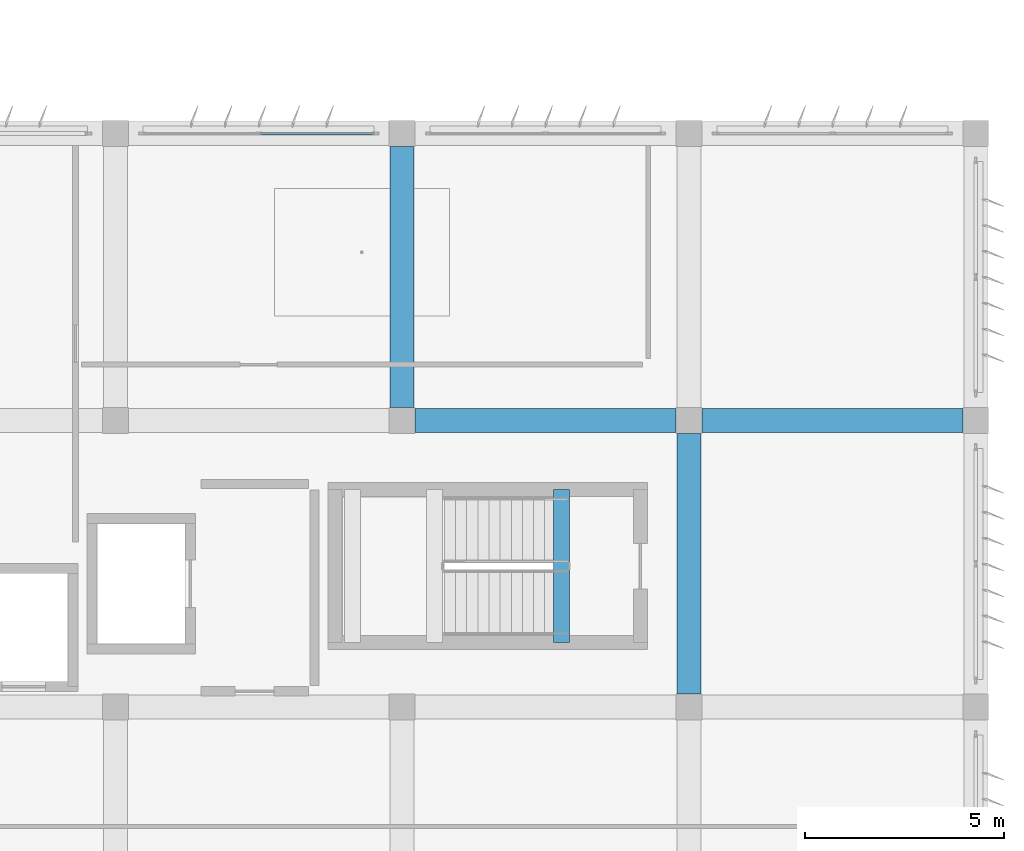
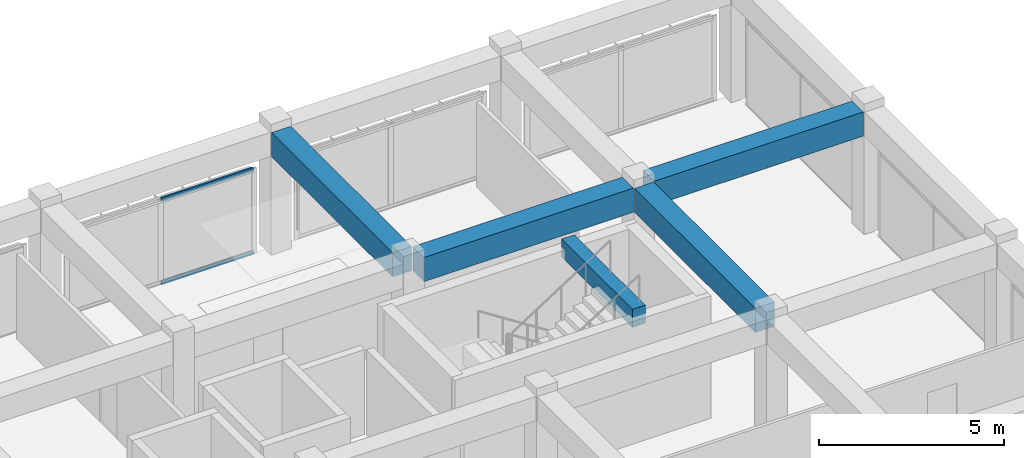
# One storey, part 25 of 53: 5 beams, 2 members, 1 element without a shape of its own.
"""IFC4 building model written with IfcOpenShell, lengths in metres."""

from ifc_helpers import new_model, si_unit, direction, frame, origin, origin_2d, place, context, subcontext, project, spatial, rectangle, hollow_rectangle, extrude, material, material_profile, profile_set, type_object, element, aggregate, save


model = new_model("IFC4")

# Units and contexts
model_context = context("Model", 3, precision=1e-05, world=origin(), true_north=direction((0.0, 1.0)))
body_context = subcontext(model_context, "Body", "Model", "MODEL_VIEW")
ifc_project = project(units=[si_unit("LENGTHUNIT", "METRE"), si_unit("AREAUNIT", "SQUARE_METRE"), si_unit("VOLUMEUNIT", "CUBIC_METRE"), si_unit("PLANEANGLEUNIT", "RADIAN"), si_unit("MASSUNIT", "GRAM", prefix="KILO")], contexts=[model_context])

# Site, building, storey
site_placement = place(None, origin())
site = spatial("IfcSite", under=ifc_project, at=site_placement, CompositionType="ELEMENT")
building_placement = place(site_placement, origin())
building = spatial("IfcBuilding", under=site, at=building_placement, Name="Kazehaya Institute of Natural Sciences", CompositionType="ELEMENT")
storey_placement = place(building_placement, frame((0.0, 0.0, 33.300048828125)))
storey = spatial("IfcBuildingStorey", under=building, at=storey_placement, Name="L07", CompositionType="ELEMENT", Elevation=33.300048828125)

# Beams
ifc_material_1 = material(Name="Concrete Fc36", Category="concrete")
ifc_material_profile_1 = material_profile(ifc_material_1, rectangle(XDim=0.39990234375, YDim=0.60009765625, at=origin_2d()), Name="RC-400x600")
ifc_profile_set_1 = profile_set([ifc_material_profile_1], Name="Concrete Fc36")
beam_type_1 = type_object("IfcBeamType", Name="BM-B-400x600", PredefinedType="BEAM", material=ifc_profile_set_1)
beam_1_placement = place(storey_placement, frame((109.0, 22.820068359375, 4.02001953125), z_axis=(0.0, 1.0, 0.0), x_axis=(-1.0, 0.0, 0.0)))
element("IfcBeam", 1, at=beam_1_placement, inside=storey, type_object=beam_type_1, Name="L08 ST-2 stair header trimmer beam", PredefinedType="BEAM", context=body_context, shape_type="SweptSolid", body=[
    extrude(rectangle(XDim=0.39990234375, YDim=0.60009765625, at=origin_2d()), origin(), (0.0, 0.0, 1.0), 3.83984375),
])
ifc_material_profile_2 = material_profile(ifc_material_1, rectangle(XDim=0.60009765625, YDim=0.800048828125, at=origin_2d()), Name="RC-600x800")
ifc_profile_set_2 = profile_set([ifc_material_profile_2], Name="Concrete Fc36")
beam_type_2 = type_object("IfcBeamType", Name="BM-G-600x800", PredefinedType="BEAM", material=ifc_profile_set_2)
for number, where, z_axis, x_axis, name in (
    (2, (105.324951171875, 28.39990234375, 3.64990234375), (1.0, 0.0, 0.0), (0.0, 1.0, 0.0), "L07 primary X girder BMX-L07-1050-284"),
    (3, (112.52490234375, 28.39990234375, 3.64990234375), (1.0, 0.0, 0.0), (0.0, 1.0, 0.0), "L07 primary X girder BMX-L07-1122-284"),
):
    element("IfcBeam", number, at=place(storey_placement, frame(where, z_axis=z_axis, x_axis=x_axis)), inside=storey, type_object=beam_type_2, Name=name, PredefinedType="BEAM", context=body_context, shape_type="SweptSolid", body=[
        extrude(rectangle(XDim=0.60009765625, YDim=0.800048828125, at=origin_2d()), origin(), (0.0, 0.0, 1.0), 6.550048828125),
    ])
beam_2_placement = place(storey_placement, frame((105.0, 28.72509765625, 3.64990234375), z_axis=(0.0, 1.0, 0.0), x_axis=(-1.0, 0.0, 0.0)))
element("IfcBeam", 4, at=beam_2_placement, inside=storey, type_object=beam_type_2, Name="L07 primary Y girder BMY-L07-1050-284", PredefinedType="BEAM", context=body_context, shape_type="SweptSolid", body=[
    extrude(rectangle(XDim=0.60009765625, YDim=0.800048828125, at=origin_2d()), origin(), (0.0, 0.0, 1.0), 6.5498046875),
])
beam_3_placement = place(storey_placement, frame((112.199951171875, 21.52490234375, 3.64990234375), z_axis=(0.0, 1.0, 0.0), x_axis=(-1.0, 0.0, 0.0)))
element("IfcBeam", 5, at=beam_3_placement, inside=storey, type_object=beam_type_2, Name="L07 primary Y girder BMY-L07-1122-212", PredefinedType="BEAM", context=body_context, shape_type="SweptSolid", body=[
    extrude(rectangle(XDim=0.60009765625, YDim=0.800048828125, at=origin_2d()), origin(), (0.0, 0.0, 1.0), 6.550048828125),
])

# Curtain wall, members
ifc_material_2 = material(Name="Aluminium alloy A6063S-T5", Category="aluminium")
curtain_wall_type = type_object("IfcCurtainWallType", Name="CW-SYS-05", PredefinedType="NOTDEFINED", material=ifc_material_2)
curtain_wall_placement = place(storey_placement, origin())
curtain_wall = element("IfcCurtainWall", 6, at=curtain_wall_placement, inside=storey, type_object=curtain_wall_type, Name="L07 unitised curtain wall CW-L07-163", PredefinedType="NOTDEFINED")
ifc_material_profile_3 = material_profile(ifc_material_2, hollow_rectangle(XDim=0.06005859375, YDim=0.1201171875, WallThickness=0.00341796875, at=origin_2d()), Name="ALU-60x120x3.5")
ifc_profile_set_3 = profile_set([ifc_material_profile_3], Name="Aluminium alloy A6063S-T5")
member_type = type_object("IfcMemberType", Name="CWT-120", PredefinedType="USERDEFINED", material=ifc_profile_set_3)
member_1_placement = place(storey_placement, frame((101.429931640625, 35.60009765625, 0.030029296875), z_axis=(1.0, 0.0, 0.0), x_axis=(0.0, 1.0, 0.0)))
member_1 = element("IfcMember", 7, at=member_1_placement, type_object=member_type, Name="CW05 transom 2.1", ObjectType="TRANSOM", PredefinedType="USERDEFINED", context=body_context, shape_type="SweptSolid", body=[
    extrude(hollow_rectangle(XDim=0.06005859375, YDim=0.1201171875, WallThickness=0.00341796875, at=origin_2d()), origin(), (0.0, 0.0, 1.0), 2.8701171875),
])
member_2_placement = place(storey_placement, frame((101.429931640625, 35.60009765625, 2.7900390625), z_axis=(1.0, 0.0, 0.0), x_axis=(0.0, 1.0, 0.0)))
member_2 = element("IfcMember", 8, at=member_2_placement, type_object=member_type, Name="CW05 transom 2.2", ObjectType="TRANSOM", PredefinedType="USERDEFINED", context=body_context, shape_type="SweptSolid", body=[
    extrude(hollow_rectangle(XDim=0.06005859375, YDim=0.1201171875, WallThickness=0.00341796875, at=origin_2d()), origin(), (0.0, 0.0, 1.0), 2.8701171875),
])
aggregate(curtain_wall, [member_1, member_2])

save(model, "model.ifc")
